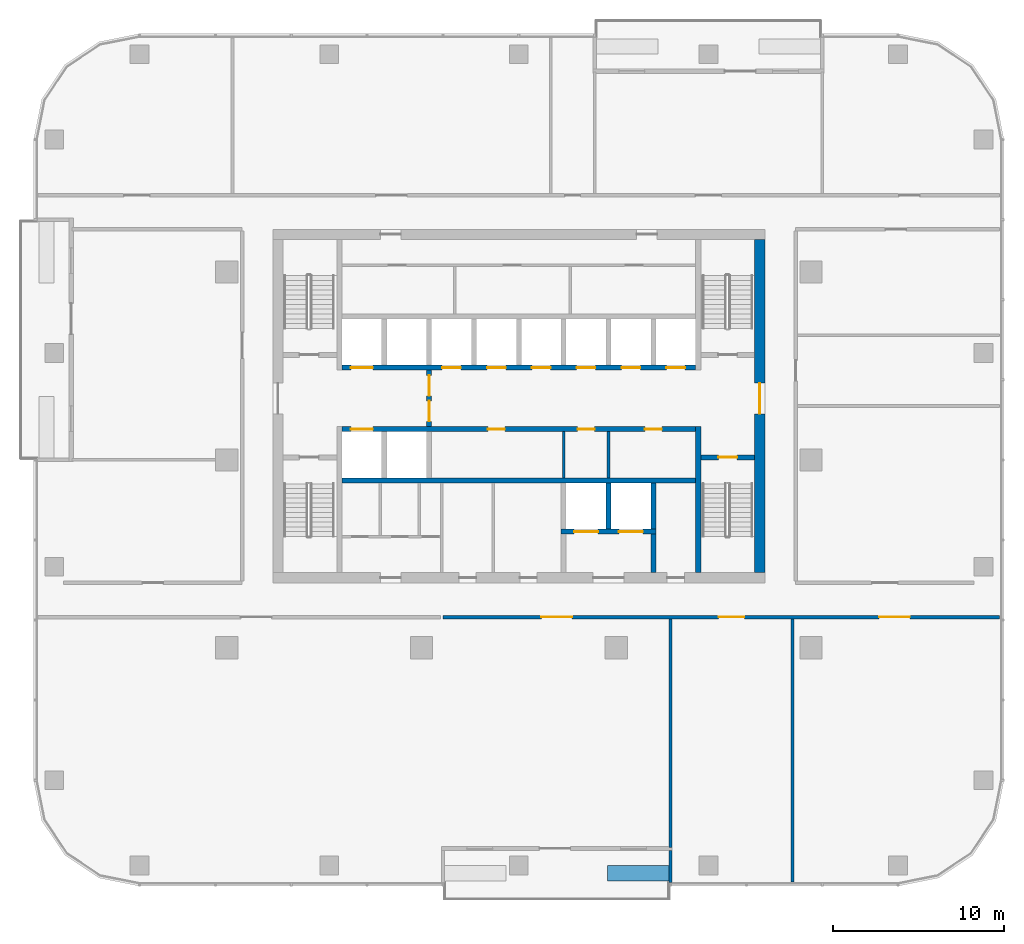
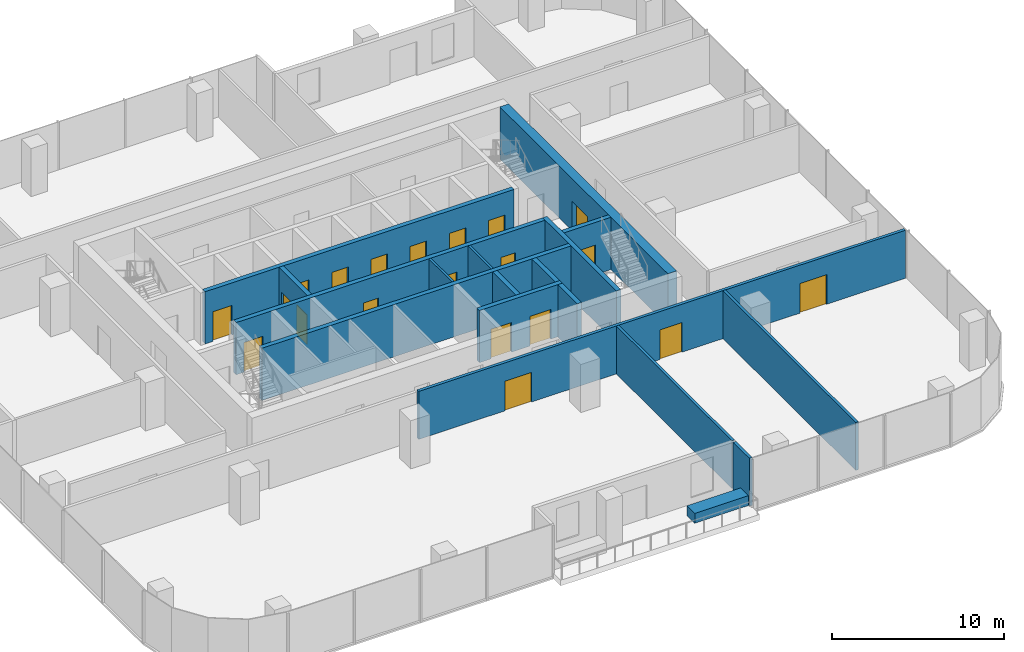
# One storey, part 8 of 14: 20 doors, 18 walls, 20 openings.
"""IFC4 building model written with IfcOpenShell, lengths in metres."""

from ifc_helpers import new_model, si_unit, direction, frame, frame_2d, origin, place, context, subcontext, project, spatial, rectangle, extrude, material, layer, layer_set, type_object, element, fill, save


model = new_model("IFC4")

# Units and contexts
model_context = context("Model", 3, precision=1e-05, world=origin(), true_north=direction((0.0, 1.0)))
body_context = subcontext(model_context, "Body", "Model", "MODEL_VIEW")
ifc_project = project(units=[si_unit("LENGTHUNIT", "METRE"), si_unit("AREAUNIT", "SQUARE_METRE"), si_unit("VOLUMEUNIT", "CUBIC_METRE"), si_unit("PLANEANGLEUNIT", "RADIAN"), si_unit("MASSUNIT", "GRAM", prefix="KILO")], contexts=[model_context])

# Site, building, storey
site_placement = place(None, origin())
site = spatial("IfcSite", under=ifc_project, at=site_placement, CompositionType="ELEMENT")
building_placement = place(site_placement, origin())
building = spatial("IfcBuilding", under=site, at=building_placement, Name="Mopane Tessera Tower", CompositionType="ELEMENT")
storey_placement = place(building_placement, frame((0.0, 0.0, 255.0)))
storey = spatial("IfcBuildingStorey", under=building, at=storey_placement, Name="L55", CompositionType="ELEMENT", Elevation=255.0)

# Walls
ifc_material_1 = material(Name="Fire-rated gypsum board partition")
ifc_layer_1 = layer(ifc_material_1, 0.14990234375)
ifc_layer_set_1 = layer_set([ifc_layer_1], Name="Fire-rated gypsum board partition")
wall_type_1 = type_object("IfcWallType", Name="Core room partition 150 mm", PredefinedType="PARTITIONING", material=ifc_layer_set_1)
for number, where, z_axis, x_axis, name in (
    (1, (2.625, -1.050048828125, 0.0), (0.0, 0.0, 1.0), (0.0, 1.0, 0.0), "L55 Room partition"),
    (2, (5.25, -1.050048828125, 0.0), (0.0, 0.0, 1.0), (0.0, 1.0, 0.0), "L55 Room partition"),
):
    element("IfcWall", number, at=place(storey_placement, frame(where, z_axis=z_axis, x_axis=x_axis)), inside=storey, type_object=wall_type_1, Name=name, PredefinedType="PARTITIONING", context=body_context, shape_type="SweptSolid", body=[
        extrude(rectangle(XDim=2.699951171875, YDim=0.14990234375, at=frame_2d((1.35009765625, 0.0))), origin(), (0.0, 0.0, 1.0), 3.699951171875),
    ])

# Wall, opening, door
ifc_material_2 = material(Name="Concrete C70/85", Category="concrete")
ifc_layer_2 = layer(ifc_material_2, 0.60009765625)
ifc_layer_set_2 = layer_set([ifc_layer_2], Name="Concrete C70/85")
wall_type_2 = type_object("IfcWallType", Name="Core shear wall 600 mm", PredefinedType="SHEAR", material=ifc_layer_set_2)
wall_1_placement = place(storey_placement, frame((14.10009765625, -6.60009765625, 0.0), z_axis=(0.0, 0.0, 1.0), x_axis=(0.0, 1.0, 0.0)))
wall_1 = element("IfcWall", 3, at=wall_1_placement, inside=storey, type_object=wall_type_2, Name="L55 Core wall east", PredefinedType="SHEAR", context=body_context, shape_type="SweptSolid", body=[
    extrude(rectangle(XDim=19.5, YDim=0.60009765625, at=frame_2d((9.75, 0.0))), origin(), (0.0, 0.0, 1.0), 3.699951171875),
])
opening_1_placement = place(wall_1_placement, frame((9.300048828125, 0.0, 0.0)))
opening_1 = element("IfcOpeningElement", 4, at=opening_1_placement, cuts=wall_1, Name="Opening SD2", PredefinedType="OPENING", context=body_context, shape_type="SweptSolid", body=[
    extrude(rectangle(XDim=1.800048828125, YDim=2.10009765625, at=frame_2d((0.89990234375, 1.050048828125))), frame((0.0, 0.31201171875, 0.0), z_axis=(0.0, -1.0, 0.0), x_axis=(1.0, 0.0, 0.0)), (0.0, 0.0, 1.0), 0.6240234375),
])
ifc_material_3 = material(Name="Steel fire door", Category="steel")
door_type_1 = type_object("IfcDoorType", Name="Core entrance double door 1800 x 2100", OperationType="DOUBLE_DOOR_SINGLE_SWING", PredefinedType="DOOR", material=ifc_material_3)
door_1_placement = place(opening_1_placement, origin())
door_1 = element("IfcDoor", 5, at=door_1_placement, inside=storey, type_object=door_type_1, Name="L55 Core entrance door east", OperationType="DOUBLE_DOOR_SINGLE_SWING", OverallHeight=2.10009765625, OverallWidth=1.800048828125, PredefinedType="DOOR", context=body_context, shape_type="SweptSolid", body=[
    extrude(rectangle(XDim=1.800048828125, YDim=2.10009765625, at=frame_2d((0.89990234375, 1.050048828125))), frame((0.0, 0.02490234375, 0.0), z_axis=(0.0, -1.0, 0.0), x_axis=(1.0, 0.0, 0.0)), (0.0, 0.0, 1.0), 0.050048828125),
])
fill(opening_1, door_1)

# Walls
ifc_material_4 = material(Name="Concrete C60/75", Category="concrete")
ifc_layer_3 = layer(ifc_material_4, 0.300048828125)
ifc_layer_set_3 = layer_set([ifc_layer_3], Name="Concrete C60/75")
wall_type_3 = type_object("IfcWallType", Name="Core spine wall 300 mm", PredefinedType="SHEAR", material=ifc_layer_set_3)
wall_2_placement = place(storey_placement, frame((10.5, -6.60009765625, 0.0), z_axis=(0.0, 0.0, 1.0), x_axis=(0.0, 1.0, 0.0)))
element("IfcWall", 6, at=wall_2_placement, inside=storey, type_object=wall_type_3, Name="L55 Core spine wall", PredefinedType="SHEAR", context=body_context, shape_type="SweptSolid", body=[
    extrude(rectangle(XDim=8.550048828125, YDim=0.300048828125, at=frame_2d((4.27490234375, 0.0))), origin(), (0.0, 0.0, 1.0), 3.699951171875),
])
ifc_material_5 = material(Name="Gypsum board on staggered steel studs, double layer each face, acoustic mineral wool infill", Category="steel")
ifc_layer_4 = layer(ifc_material_5, 0.175048828125)
ifc_layer_set_4 = layer_set([ifc_layer_4], Name="Gypsum board on staggered steel studs, double layer each face, acoustic mineral wool infill")
wall_type_4 = type_object("IfcWallType", Name="Gypsum board acoustic partition 175, rated EI 60", PredefinedType="PARTITIONING", material=ifc_layer_set_4)
wall_3_placement = place(storey_placement, frame((8.8798828125, -22.699951171875, 0.0), z_axis=(0.0, 0.0, 1.0), x_axis=(0.0, 1.0, 0.0)))
element("IfcWall", 7, at=wall_3_placement, inside=storey, type_object=wall_type_4, Name="Partition L55:014", PredefinedType="PARTITIONING", context=body_context, shape_type="SweptSolid", body=[
    extrude(rectangle(XDim=13.39990234375, YDim=0.175048828125, at=frame_2d((6.699951171875, 0.0))), origin(), (0.0, 0.0, 1.0), 3.39990234375),
])
wall_4_placement = place(storey_placement, frame((16.02001953125, -24.699951171875, 0.0), z_axis=(0.0, 0.0, 1.0), x_axis=(0.0, 1.0, 0.0)))
element("IfcWall", 8, at=wall_4_placement, inside=storey, type_object=wall_type_4, Name="Partition L55:015", PredefinedType="PARTITIONING", context=body_context, shape_type="SweptSolid", body=[
    extrude(rectangle(XDim=15.39990234375, YDim=0.175048828125, at=frame_2d((7.699951171875, 0.0))), origin(), (0.0, 0.0, 1.0), 3.39990234375),
])

# Wall, openings, doors
ifc_material_6 = material(Name="Gypsum board on steel studs, two layers each face, mineral wool infill", Category="steel")
ifc_layer_5 = layer(ifc_material_6, 0.199951171875)
ifc_layer_set_5 = layer_set([ifc_layer_5], Name="Gypsum board on steel studs, two layers each face, mineral wool infill")
wall_type_5 = type_object("IfcWallType", Name="Gypsum board corridor wall 200, rated EI 60", PredefinedType="PARTITIONING", material=ifc_layer_set_5)
wall_5_placement = place(storey_placement, frame((-4.43994140625, -9.199951171875, 0.0), z_axis=(0.0, 0.0, 1.0), x_axis=(1.0, 0.0, 0.0)))
wall_5 = element("IfcWall", 9, at=wall_5_placement, inside=storey, type_object=wall_type_5, Name="Partition L55:001", PredefinedType="PARTITIONING", context=body_context, shape_type="SweptSolid", body=[
    extrude(rectangle(XDim=32.58984375, YDim=0.199951171875, at=frame_2d((16.294921875, 0.0))), origin(), (0.0, 0.0, 1.0), 3.39990234375),
])
opening_2_placement = place(wall_5_placement, frame((25.52490234375, 0.0, 0.0)))
opening_2 = element("IfcOpeningElement", 10, at=opening_2_placement, cuts=wall_5, Name="Opening L55-02", PredefinedType="OPENING", context=body_context, shape_type="SweptSolid", body=[
    extrude(rectangle(XDim=1.800048828125, YDim=2.10009765625, at=frame_2d((0.89990234375, 1.050048828125))), frame((0.0, 0.112060546875, 0.0), z_axis=(0.0, -1.0, 0.0), x_axis=(1.0, 0.0, 0.0)), (0.0, 0.0, 1.0), 0.223876953125),
])
opening_3_placement = place(wall_5_placement, frame((5.760009765625, 0.0, 0.0)))
opening_3 = element("IfcOpeningElement", 11, at=opening_3_placement, cuts=wall_5, Name="Opening L55-04", PredefinedType="OPENING", context=body_context, shape_type="SweptSolid", body=[
    extrude(rectangle(XDim=1.800048828125, YDim=2.10009765625, at=frame_2d((0.89990234375, 1.050048828125))), frame((0.0, 0.112060546875, 0.0), z_axis=(0.0, -1.0, 0.0), x_axis=(1.0, 0.0, 0.0)), (0.0, 0.0, 1.0), 0.223876953125),
])
opening_4_placement = place(wall_5_placement, frame((16.139892578125, 0.0, 0.0)))
opening_4 = element("IfcOpeningElement", 12, at=opening_4_placement, cuts=wall_5, Name="Opening L55-13", PredefinedType="OPENING", context=body_context, shape_type="SweptSolid", body=[
    extrude(rectangle(XDim=1.5, YDim=2.10009765625, at=frame_2d((0.75, 1.050048828125))), frame((0.0, 0.112060546875, 0.0), z_axis=(0.0, -1.0, 0.0), x_axis=(1.0, 0.0, 0.0)), (0.0, 0.0, 1.0), 0.223876953125),
])
ifc_material_7 = material(Name="Timber veneered steel-framed fire door", Category="steel")
door_type_2 = type_object("IfcDoorType", Name="Fire door pair FD60 1500 x 2100", OperationType="DOUBLE_DOOR_SINGLE_SWING", PredefinedType="DOOR", material=ifc_material_7)
door_2_placement = place(opening_4_placement, origin())
door_2 = element("IfcDoor", 13, at=door_2_placement, inside=storey, type_object=door_type_2, Name="Door L55-13", ObjectType="D17A", OperationType="DOUBLE_DOOR_SINGLE_SWING", OverallHeight=2.10009765625, OverallWidth=1.5, PredefinedType="DOOR", context=body_context, shape_type="SweptSolid", body=[
    extrude(rectangle(XDim=1.5, YDim=2.10009765625, at=frame_2d((0.75, 1.050048828125))), frame((0.0, 0.02490234375, 0.0), z_axis=(0.0, -1.0, 0.0), x_axis=(1.0, 0.0, 0.0)), (0.0, 0.0, 1.0), 0.050048828125),
])
fill(opening_4, door_2)
ifc_material_8 = material(Name="Timber veneered steel-framed fire door", Category="steel")
door_type_3 = type_object("IfcDoorType", Name="Fire door pair FD60 1800 x 2100", OperationType="DOUBLE_DOOR_SINGLE_SWING", PredefinedType="DOOR", material=ifc_material_8)
door_3_placement = place(opening_2_placement, origin())
door_3 = element("IfcDoor", 14, at=door_3_placement, inside=storey, type_object=door_type_3, Name="Door L55-02", ObjectType="D20A", OperationType="DOUBLE_DOOR_SINGLE_SWING", OverallHeight=2.10009765625, OverallWidth=1.800048828125, PredefinedType="DOOR", context=body_context, shape_type="SweptSolid", body=[
    extrude(rectangle(XDim=1.800048828125, YDim=2.10009765625, at=frame_2d((0.89990234375, 1.050048828125))), frame((0.0, 0.02490234375, 0.0), z_axis=(0.0, -1.0, 0.0), x_axis=(1.0, 0.0, 0.0)), (0.0, 0.0, 1.0), 0.050048828125),
])
fill(opening_2, door_3)
door_4_placement = place(opening_3_placement, origin())
door_4 = element("IfcDoor", 15, at=door_4_placement, inside=storey, type_object=door_type_3, Name="Door L55-04", ObjectType="D20A", OperationType="DOUBLE_DOOR_SINGLE_SWING", OverallHeight=2.10009765625, OverallWidth=1.800048828125, PredefinedType="DOOR", context=body_context, shape_type="SweptSolid", body=[
    extrude(rectangle(XDim=1.800048828125, YDim=2.10009765625, at=frame_2d((0.89990234375, 1.050048828125))), frame((0.0, 0.02490234375, 0.0), z_axis=(0.0, -1.0, 0.0), x_axis=(1.0, 0.0, 0.0)), (0.0, 0.0, 1.0), 0.050048828125),
])
fill(opening_3, door_4)

# Wall, opening, door
ifc_material_9 = material(Name="Concrete C50/60", Category="concrete")
ifc_layer_6 = layer(ifc_material_9, 0.300048828125)
ifc_layer_set_6 = layer_set([ifc_layer_6], Name="Concrete C50/60")
wall_type_6 = type_object("IfcWallType", Name="Lift and stair shaft wall 300 mm", PredefinedType="SOLIDWALL", material=ifc_layer_set_6)
wall_6_placement = place(storey_placement, frame((10.64990234375, 0.14990234375, 0.0), z_axis=(0.0, 0.0, 1.0), x_axis=(1.0, 0.0, 0.0)))
wall_6 = element("IfcWall", 16, at=wall_6_placement, inside=storey, type_object=wall_type_6, Name="L55 Stair enclosure wall", PredefinedType="SOLIDWALL", context=body_context, shape_type="SweptSolid", body=[
    extrude(rectangle(XDim=3.150146484375, YDim=0.300048828125, at=frame_2d((1.5751953125, 0.0))), origin(), (0.0, 0.0, 1.0), 3.699951171875),
])
opening_5_placement = place(wall_6_placement, frame((1.02490234375, 0.0, 0.0)))
opening_5 = element("IfcOpeningElement", 17, at=opening_5_placement, cuts=wall_6, Name="Opening SD1", PredefinedType="OPENING", context=body_context, shape_type="SweptSolid", body=[
    extrude(rectangle(XDim=1.10009765625, YDim=2.10009765625, at=frame_2d((0.550048828125, 1.050048828125))), frame((0.0, 0.162109375, 0.0), z_axis=(0.0, -1.0, 0.0), x_axis=(1.0, 0.0, 0.0)), (0.0, 0.0, 1.0), 0.323974609375),
])
ifc_material_10 = material(Name="Steel fire door", Category="steel")
door_type_4 = type_object("IfcDoorType", Name="Stair fire door 1100 x 2100", OperationType="SINGLE_SWING_LEFT", PredefinedType="DOOR", material=ifc_material_10)
door_5_placement = place(opening_5_placement, origin())
door_5 = element("IfcDoor", 18, at=door_5_placement, inside=storey, type_object=door_type_4, Name="L55 Stair door ST3", OperationType="SINGLE_SWING_RIGHT", OverallHeight=2.10009765625, OverallWidth=1.10009765625, PredefinedType="DOOR", context=body_context, shape_type="SweptSolid", body=[
    extrude(rectangle(XDim=1.10009765625, YDim=2.10009765625, at=frame_2d((0.550048828125, 1.050048828125))), frame((0.0, 0.02490234375, 0.0), z_axis=(0.0, -1.0, 0.0), x_axis=(1.0, 0.0, 0.0)), (0.0, 0.0, 1.0), 0.050048828125),
])
fill(opening_5, door_5)

# Wall
wall_7_placement = place(storey_placement, frame((-10.35009765625, -1.199951171875, 0.0), z_axis=(0.0, 0.0, 1.0), x_axis=(1.0, 0.0, 0.0)))
element("IfcWall", 19, at=wall_7_placement, inside=storey, type_object=wall_type_6, Name="L55 Lift shaft rear wall", PredefinedType="SOLIDWALL", context=body_context, shape_type="SweptSolid", body=[
    extrude(rectangle(XDim=20.7001953125, YDim=0.300048828125, at=frame_2d((10.35009765625, 0.0))), origin(), (0.0, 0.0, 1.0), 3.699951171875),
])

# Wall, openings, doors
wall_8_placement = place(storey_placement, frame((-10.35009765625, 1.800048828125, 0.0), z_axis=(0.0, 0.0, 1.0), x_axis=(1.0, 0.0, 0.0)))
wall_8 = element("IfcWall", 20, at=wall_8_placement, inside=storey, type_object=wall_type_6, Name="L55 Lift shaft front wall", PredefinedType="SOLIDWALL", context=body_context, shape_type="SweptSolid", body=[
    extrude(rectangle(XDim=20.7001953125, YDim=0.300048828125, at=frame_2d((10.35009765625, 0.0))), origin(), (0.0, 0.0, 1.0), 3.699951171875),
])
opening_6_placement = place(wall_8_placement, frame((0.512451171875, 0.0, 0.0)))
opening_6 = element("IfcOpeningElement", 21, at=opening_6_placement, cuts=wall_8, Name="Opening LD2", PredefinedType="OPENING", context=body_context, shape_type="SweptSolid", body=[
    extrude(rectangle(XDim=1.300048828125, YDim=2.10009765625, at=frame_2d((0.64990234375, 1.050048828125))), frame((0.0, 0.162109375, 0.0), z_axis=(0.0, -1.0, 0.0), x_axis=(1.0, 0.0, 0.0)), (0.0, 0.0, 1.0), 0.323974609375),
])
opening_7_placement = place(wall_8_placement, frame((8.53759765625, 0.0, 0.0)))
opening_7 = element("IfcOpeningElement", 22, at=opening_7_placement, cuts=wall_8, Name="Opening RD1", PredefinedType="OPENING", context=body_context, shape_type="SweptSolid", body=[
    extrude(rectangle(XDim=1.0, YDim=2.10009765625, at=frame_2d((0.5, 1.050048828125))), frame((0.0, 0.162109375, 0.0), z_axis=(0.0, -1.0, 0.0), x_axis=(1.0, 0.0, 0.0)), (0.0, 0.0, 1.0), 0.323974609375),
])
opening_8_placement = place(wall_8_placement, frame((13.78759765625, 0.0, 0.0)))
opening_8 = element("IfcOpeningElement", 23, at=opening_8_placement, cuts=wall_8, Name="Opening RD1", PredefinedType="OPENING", context=body_context, shape_type="SweptSolid", body=[
    extrude(rectangle(XDim=1.0, YDim=2.10009765625, at=frame_2d((0.5, 1.050048828125))), frame((0.0, 0.162109375, 0.0), z_axis=(0.0, -1.0, 0.0), x_axis=(1.0, 0.0, 0.0)), (0.0, 0.0, 1.0), 0.323974609375),
])
opening_9_placement = place(wall_8_placement, frame((17.72509765625, 0.0, 0.0)))
opening_9 = element("IfcOpeningElement", 24, at=opening_9_placement, cuts=wall_8, Name="Opening RD1", PredefinedType="OPENING", context=body_context, shape_type="SweptSolid", body=[
    extrude(rectangle(XDim=1.0, YDim=2.10009765625, at=frame_2d((0.5, 1.050048828125))), frame((0.0, 0.162109375, 0.0), z_axis=(0.0, -1.0, 0.0), x_axis=(1.0, 0.0, 0.0)), (0.0, 0.0, 1.0), 0.323974609375),
])
ifc_material_11 = material(Name="Timber door", Category="wood")
door_type_5 = type_object("IfcDoorType", Name="Core room door 1000 x 2100", OperationType="SINGLE_SWING_LEFT", PredefinedType="DOOR", material=ifc_material_11)
door_6_placement = place(opening_7_placement, origin())
door_6 = element("IfcDoor", 25, at=door_6_placement, inside=storey, type_object=door_type_5, Name="L55 Room door", OperationType="SINGLE_SWING_LEFT", OverallHeight=2.10009765625, OverallWidth=1.0, PredefinedType="DOOR", context=body_context, shape_type="SweptSolid", body=[
    extrude(rectangle(XDim=1.0, YDim=2.10009765625, at=frame_2d((0.5, 1.050048828125))), frame((0.0, 0.02490234375, 0.0), z_axis=(0.0, -1.0, 0.0), x_axis=(1.0, 0.0, 0.0)), (0.0, 0.0, 1.0), 0.050048828125),
])
fill(opening_7, door_6)
door_7_placement = place(opening_8_placement, origin())
door_7 = element("IfcDoor", 26, at=door_7_placement, inside=storey, type_object=door_type_5, Name="L55 Room door", OperationType="SINGLE_SWING_LEFT", OverallHeight=2.10009765625, OverallWidth=1.0, PredefinedType="DOOR", context=body_context, shape_type="SweptSolid", body=[
    extrude(rectangle(XDim=1.0, YDim=2.10009765625, at=frame_2d((0.5, 1.050048828125))), frame((0.0, 0.02490234375, 0.0), z_axis=(0.0, -1.0, 0.0), x_axis=(1.0, 0.0, 0.0)), (0.0, 0.0, 1.0), 0.050048828125),
])
fill(opening_8, door_7)
door_8_placement = place(opening_9_placement, origin())
door_8 = element("IfcDoor", 27, at=door_8_placement, inside=storey, type_object=door_type_5, Name="L55 Room door", OperationType="SINGLE_SWING_LEFT", OverallHeight=2.10009765625, OverallWidth=1.0, PredefinedType="DOOR", context=body_context, shape_type="SweptSolid", body=[
    extrude(rectangle(XDim=1.0, YDim=2.10009765625, at=frame_2d((0.5, 1.050048828125))), frame((0.0, 0.02490234375, 0.0), z_axis=(0.0, -1.0, 0.0), x_axis=(1.0, 0.0, 0.0)), (0.0, 0.0, 1.0), 0.050048828125),
])
fill(opening_9, door_8)
ifc_material_12 = material(Name="Stainless steel sliding door", Category="steel")
door_type_6 = type_object("IfcDoorType", Name="Fire-fighting lift landing door 1300 x 2100", OperationType="DOUBLE_DOOR_SLIDING", PredefinedType="DOOR", material=ifc_material_12)
door_9_placement = place(opening_6_placement, origin())
door_9 = element("IfcDoor", 28, at=door_9_placement, inside=storey, type_object=door_type_6, Name="L55 Lift landing door FF1", OperationType="DOUBLE_DOOR_SLIDING", OverallHeight=2.10009765625, OverallWidth=1.300048828125, PredefinedType="DOOR", context=body_context, shape_type="SweptSolid", body=[
    extrude(rectangle(XDim=1.300048828125, YDim=2.10009765625, at=frame_2d((0.64990234375, 1.050048828125))), frame((0.0, 0.02490234375, 0.0), z_axis=(0.0, -1.0, 0.0), x_axis=(1.0, 0.0, 0.0)), (0.0, 0.0, 1.0), 0.050048828125),
])
fill(opening_6, door_9)

wall_9_placement = place(storey_placement, frame((-10.35009765625, 5.39990234375, 0.0), z_axis=(0.0, 0.0, 1.0), x_axis=(1.0, 0.0, 0.0)))
wall_9 = element("IfcWall", 29, at=wall_9_placement, inside=storey, type_object=wall_type_6, Name="L55 Lift shaft front wall", PredefinedType="SOLIDWALL", context=body_context, shape_type="SweptSolid", body=[
    extrude(rectangle(XDim=20.7001953125, YDim=0.300048828125, at=frame_2d((10.35009765625, 0.0))), origin(), (0.0, 0.0, 1.0), 3.699951171875),
])
opening_10_placement = place(wall_9_placement, frame((0.512451171875, 0.0, 0.0)))
opening_10 = element("IfcOpeningElement", 30, at=opening_10_placement, cuts=wall_9, Name="Opening LD2", PredefinedType="OPENING", context=body_context, shape_type="SweptSolid", body=[
    extrude(rectangle(XDim=1.300048828125, YDim=2.10009765625, at=frame_2d((0.64990234375, 1.050048828125))), frame((0.0, 0.162109375, 0.0), z_axis=(0.0, -1.0, 0.0), x_axis=(1.0, 0.0, 0.0)), (0.0, 0.0, 1.0), 0.323974609375),
])
opening_11_placement = place(wall_9_placement, frame((5.862548828125, 0.0, 0.0)))
opening_11 = element("IfcOpeningElement", 31, at=opening_11_placement, cuts=wall_9, Name="Opening LD", PredefinedType="OPENING", context=body_context, shape_type="SweptSolid", body=[
    extrude(rectangle(XDim=1.10009765625, YDim=2.10009765625, at=frame_2d((0.550048828125, 1.050048828125))), frame((0.0, 0.162109375, 0.0), z_axis=(0.0, -1.0, 0.0), x_axis=(1.0, 0.0, 0.0)), (0.0, 0.0, 1.0), 0.323974609375),
])
opening_12_placement = place(wall_9_placement, frame((8.487548828125, 0.0, 0.0)))
opening_12 = element("IfcOpeningElement", 32, at=opening_12_placement, cuts=wall_9, Name="Opening LD", PredefinedType="OPENING", context=body_context, shape_type="SweptSolid", body=[
    extrude(rectangle(XDim=1.10009765625, YDim=2.10009765625, at=frame_2d((0.550048828125, 1.050048828125))), frame((0.0, 0.162109375, 0.0), z_axis=(0.0, -1.0, 0.0), x_axis=(1.0, 0.0, 0.0)), (0.0, 0.0, 1.0), 0.323974609375),
])
opening_13_placement = place(wall_9_placement, frame((11.112548828125, 0.0, 0.0)))
opening_13 = element("IfcOpeningElement", 33, at=opening_13_placement, cuts=wall_9, Name="Opening LD", PredefinedType="OPENING", context=body_context, shape_type="SweptSolid", body=[
    extrude(rectangle(XDim=1.10009765625, YDim=2.10009765625, at=frame_2d((0.550048828125, 1.050048828125))), frame((0.0, 0.162109375, 0.0), z_axis=(0.0, -1.0, 0.0), x_axis=(1.0, 0.0, 0.0)), (0.0, 0.0, 1.0), 0.323974609375),
])
opening_14_placement = place(wall_9_placement, frame((13.737548828125, 0.0, 0.0)))
opening_14 = element("IfcOpeningElement", 34, at=opening_14_placement, cuts=wall_9, Name="Opening LD", PredefinedType="OPENING", context=body_context, shape_type="SweptSolid", body=[
    extrude(rectangle(XDim=1.10009765625, YDim=2.10009765625, at=frame_2d((0.550048828125, 1.050048828125))), frame((0.0, 0.162109375, 0.0), z_axis=(0.0, -1.0, 0.0), x_axis=(1.0, 0.0, 0.0)), (0.0, 0.0, 1.0), 0.323974609375),
])
opening_15_placement = place(wall_9_placement, frame((16.362548828125, 0.0, 0.0)))
opening_15 = element("IfcOpeningElement", 35, at=opening_15_placement, cuts=wall_9, Name="Opening LD", PredefinedType="OPENING", context=body_context, shape_type="SweptSolid", body=[
    extrude(rectangle(XDim=1.10009765625, YDim=2.10009765625, at=frame_2d((0.550048828125, 1.050048828125))), frame((0.0, 0.162109375, 0.0), z_axis=(0.0, -1.0, 0.0), x_axis=(1.0, 0.0, 0.0)), (0.0, 0.0, 1.0), 0.323974609375),
])
opening_16_placement = place(wall_9_placement, frame((18.987548828125, 0.0, 0.0)))
opening_16 = element("IfcOpeningElement", 36, at=opening_16_placement, cuts=wall_9, Name="Opening LD", PredefinedType="OPENING", context=body_context, shape_type="SweptSolid", body=[
    extrude(rectangle(XDim=1.10009765625, YDim=2.10009765625, at=frame_2d((0.550048828125, 1.050048828125))), frame((0.0, 0.162109375, 0.0), z_axis=(0.0, -1.0, 0.0), x_axis=(1.0, 0.0, 0.0)), (0.0, 0.0, 1.0), 0.323974609375),
])
door_10_placement = place(opening_10_placement, origin())
door_10 = element("IfcDoor", 37, at=door_10_placement, inside=storey, type_object=door_type_6, Name="L55 Lift landing door FF2", OperationType="DOUBLE_DOOR_SLIDING", OverallHeight=2.10009765625, OverallWidth=1.300048828125, PredefinedType="DOOR", context=body_context, shape_type="SweptSolid", body=[
    extrude(rectangle(XDim=1.300048828125, YDim=2.10009765625, at=frame_2d((0.64990234375, 1.050048828125))), frame((0.0, 0.02490234375, 0.0), z_axis=(0.0, -1.0, 0.0), x_axis=(1.0, 0.0, 0.0)), (0.0, 0.0, 1.0), 0.050048828125),
])
fill(opening_10, door_10)
ifc_material_13 = material(Name="Stainless steel sliding door", Category="steel")
door_type_7 = type_object("IfcDoorType", Name="Lift landing door 1100 x 2100", OperationType="DOUBLE_DOOR_SLIDING", PredefinedType="DOOR", material=ifc_material_13)
door_11_placement = place(opening_11_placement, origin())
door_11 = element("IfcDoor", 38, at=door_11_placement, inside=storey, type_object=door_type_7, Name="L55 Lift landing door HR1", OperationType="DOUBLE_DOOR_SLIDING", OverallHeight=2.10009765625, OverallWidth=1.10009765625, PredefinedType="DOOR", context=body_context, shape_type="SweptSolid", body=[
    extrude(rectangle(XDim=1.10009765625, YDim=2.10009765625, at=frame_2d((0.550048828125, 1.050048828125))), frame((0.0, 0.02490234375, 0.0), z_axis=(0.0, -1.0, 0.0), x_axis=(1.0, 0.0, 0.0)), (0.0, 0.0, 1.0), 0.050048828125),
])
fill(opening_11, door_11)
door_12_placement = place(opening_12_placement, origin())
door_12 = element("IfcDoor", 39, at=door_12_placement, inside=storey, type_object=door_type_7, Name="L55 Lift landing door HR2", OperationType="DOUBLE_DOOR_SLIDING", OverallHeight=2.10009765625, OverallWidth=1.10009765625, PredefinedType="DOOR", context=body_context, shape_type="SweptSolid", body=[
    extrude(rectangle(XDim=1.10009765625, YDim=2.10009765625, at=frame_2d((0.550048828125, 1.050048828125))), frame((0.0, 0.02490234375, 0.0), z_axis=(0.0, -1.0, 0.0), x_axis=(1.0, 0.0, 0.0)), (0.0, 0.0, 1.0), 0.050048828125),
])
fill(opening_12, door_12)
door_13_placement = place(opening_13_placement, origin())
door_13 = element("IfcDoor", 40, at=door_13_placement, inside=storey, type_object=door_type_7, Name="L55 Lift landing door HR3", OperationType="DOUBLE_DOOR_SLIDING", OverallHeight=2.10009765625, OverallWidth=1.10009765625, PredefinedType="DOOR", context=body_context, shape_type="SweptSolid", body=[
    extrude(rectangle(XDim=1.10009765625, YDim=2.10009765625, at=frame_2d((0.550048828125, 1.050048828125))), frame((0.0, 0.02490234375, 0.0), z_axis=(0.0, -1.0, 0.0), x_axis=(1.0, 0.0, 0.0)), (0.0, 0.0, 1.0), 0.050048828125),
])
fill(opening_13, door_13)
door_14_placement = place(opening_14_placement, origin())
door_14 = element("IfcDoor", 41, at=door_14_placement, inside=storey, type_object=door_type_7, Name="L55 Lift landing door HR4", OperationType="DOUBLE_DOOR_SLIDING", OverallHeight=2.10009765625, OverallWidth=1.10009765625, PredefinedType="DOOR", context=body_context, shape_type="SweptSolid", body=[
    extrude(rectangle(XDim=1.10009765625, YDim=2.10009765625, at=frame_2d((0.550048828125, 1.050048828125))), frame((0.0, 0.02490234375, 0.0), z_axis=(0.0, -1.0, 0.0), x_axis=(1.0, 0.0, 0.0)), (0.0, 0.0, 1.0), 0.050048828125),
])
fill(opening_14, door_14)
door_15_placement = place(opening_15_placement, origin())
door_15 = element("IfcDoor", 42, at=door_15_placement, inside=storey, type_object=door_type_7, Name="L55 Lift landing door HR5", OperationType="DOUBLE_DOOR_SLIDING", OverallHeight=2.10009765625, OverallWidth=1.10009765625, PredefinedType="DOOR", context=body_context, shape_type="SweptSolid", body=[
    extrude(rectangle(XDim=1.10009765625, YDim=2.10009765625, at=frame_2d((0.550048828125, 1.050048828125))), frame((0.0, 0.02490234375, 0.0), z_axis=(0.0, -1.0, 0.0), x_axis=(1.0, 0.0, 0.0)), (0.0, 0.0, 1.0), 0.050048828125),
])
fill(opening_15, door_15)
door_16_placement = place(opening_16_placement, origin())
door_16 = element("IfcDoor", 43, at=door_16_placement, inside=storey, type_object=door_type_7, Name="L55 Lift landing door HR6", OperationType="DOUBLE_DOOR_SLIDING", OverallHeight=2.10009765625, OverallWidth=1.10009765625, PredefinedType="DOOR", context=body_context, shape_type="SweptSolid", body=[
    extrude(rectangle(XDim=1.10009765625, YDim=2.10009765625, at=frame_2d((0.550048828125, 1.050048828125))), frame((0.0, 0.02490234375, 0.0), z_axis=(0.0, -1.0, 0.0), x_axis=(1.0, 0.0, 0.0)), (0.0, 0.0, 1.0), 0.050048828125),
])
fill(opening_16, door_16)

wall_10_placement = place(storey_placement, frame((2.47509765625, -4.199951171875, 0.0), z_axis=(0.0, 0.0, 1.0), x_axis=(1.0, 0.0, 0.0)))
wall_10 = element("IfcWall", 44, at=wall_10_placement, inside=storey, type_object=wall_type_6, Name="L55 Lift shaft front wall", PredefinedType="SOLIDWALL", context=body_context, shape_type="SweptSolid", body=[
    extrude(rectangle(XDim=5.5498046875, YDim=0.300048828125, at=frame_2d((2.77490234375, 0.0))), origin(), (0.0, 0.0, 1.0), 3.699951171875),
])
opening_17_placement = place(wall_10_placement, frame((0.762451171875, 0.0, 0.0)))
opening_17 = element("IfcOpeningElement", 45, at=opening_17_placement, cuts=wall_10, Name="Opening LD3", PredefinedType="OPENING", context=body_context, shape_type="SweptSolid", body=[
    extrude(rectangle(XDim=1.39990234375, YDim=2.10009765625, at=frame_2d((0.699951171875, 1.050048828125))), frame((0.0, 0.162109375, 0.0), z_axis=(0.0, -1.0, 0.0), x_axis=(1.0, 0.0, 0.0)), (0.0, 0.0, 1.0), 0.323974609375),
])
opening_18_placement = place(wall_10_placement, frame((3.387451171875, 0.0, 0.0)))
opening_18 = element("IfcOpeningElement", 46, at=opening_18_placement, cuts=wall_10, Name="Opening LD3", PredefinedType="OPENING", context=body_context, shape_type="SweptSolid", body=[
    extrude(rectangle(XDim=1.39990234375, YDim=2.10009765625, at=frame_2d((0.699951171875, 1.050048828125))), frame((0.0, 0.162109375, 0.0), z_axis=(0.0, -1.0, 0.0), x_axis=(1.0, 0.0, 0.0)), (0.0, 0.0, 1.0), 0.323974609375),
])
ifc_material_14 = material(Name="Stainless steel sliding door", Category="steel")
door_type_8 = type_object("IfcDoorType", Name="Service lift landing door 1400 x 2100", OperationType="DOUBLE_DOOR_SLIDING", PredefinedType="DOOR", material=ifc_material_14)
door_17_placement = place(opening_17_placement, origin())
door_17 = element("IfcDoor", 47, at=door_17_placement, inside=storey, type_object=door_type_8, Name="L55 Lift landing door SV1", OperationType="DOUBLE_DOOR_SLIDING", OverallHeight=2.10009765625, OverallWidth=1.39990234375, PredefinedType="DOOR", context=body_context, shape_type="SweptSolid", body=[
    extrude(rectangle(XDim=1.39990234375, YDim=2.10009765625, at=frame_2d((0.699951171875, 1.050048828125))), frame((0.0, 0.02490234375, 0.0), z_axis=(0.0, -1.0, 0.0), x_axis=(1.0, 0.0, 0.0)), (0.0, 0.0, 1.0), 0.050048828125),
])
fill(opening_17, door_17)
door_18_placement = place(opening_18_placement, origin())
door_18 = element("IfcDoor", 48, at=door_18_placement, inside=storey, type_object=door_type_8, Name="L55 Lift landing door SV2", OperationType="DOUBLE_DOOR_SLIDING", OverallHeight=2.10009765625, OverallWidth=1.39990234375, PredefinedType="DOOR", context=body_context, shape_type="SweptSolid", body=[
    extrude(rectangle(XDim=1.39990234375, YDim=2.10009765625, at=frame_2d((0.699951171875, 1.050048828125))), frame((0.0, 0.02490234375, 0.0), z_axis=(0.0, -1.0, 0.0), x_axis=(1.0, 0.0, 0.0)), (0.0, 0.0, 1.0), 0.050048828125),
])
fill(opening_18, door_18)

# Walls
for number, where, z_axis, x_axis, name in (
    (49, (5.25, -4.050048828125, 0.0), (0.0, 0.0, 1.0), (0.0, 1.0, 0.0), "L55 Lift shaft wall"),
    (50, (7.875, -4.050048828125, 0.0), (0.0, 0.0, 1.0), (0.0, 1.0, 0.0), "L55 Lift shaft wall"),
):
    element("IfcWall", number, at=place(storey_placement, frame(where, z_axis=z_axis, x_axis=x_axis)), inside=storey, type_object=wall_type_6, Name=name, PredefinedType="SOLIDWALL", context=body_context, shape_type="SweptSolid", body=[
        extrude(rectangle(XDim=2.699951171875, YDim=0.300048828125, at=frame_2d((1.35009765625, 0.0))), origin(), (0.0, 0.0, 1.0), 3.699951171875),
    ])

# Wall, openings, doors
ifc_material_15 = material(Name="Concrete C50/60", Category="concrete")
ifc_layer_7 = layer(ifc_material_15, 0.300048828125)
ifc_layer_set_7 = layer_set([ifc_layer_7], Name="Concrete C50/60")
wall_type_7 = type_object("IfcWallType", Name="Lobby and refuge room wall 300 mm", PredefinedType="SOLIDWALL", material=ifc_layer_set_7)
wall_11_placement = place(storey_placement, frame((-5.25, 1.949951171875, 0.0), z_axis=(0.0, 0.0, 1.0), x_axis=(0.0, 1.0, 0.0)))
wall_11 = element("IfcWall", 51, at=wall_11_placement, inside=storey, type_object=wall_type_7, Name="L55 Fire-fighting lobby wall", PredefinedType="SOLIDWALL", context=body_context, shape_type="SweptSolid", body=[
    extrude(rectangle(XDim=3.300048828125, YDim=0.300048828125, at=frame_2d((1.64990234375, 0.0))), origin(), (0.0, 0.0, 1.0), 3.699951171875),
])
opening_19_placement = place(wall_11_placement, frame((0.300048828125, 0.0, 0.0)))
opening_19 = element("IfcOpeningElement", 52, at=opening_19_placement, cuts=wall_11, Name="Opening SD3", PredefinedType="OPENING", context=body_context, shape_type="SweptSolid", body=[
    extrude(rectangle(XDim=1.199951171875, YDim=2.10009765625, at=frame_2d((0.60009765625, 1.050048828125))), frame((0.0, 0.162109375, 0.0), z_axis=(0.0, -1.0, 0.0), x_axis=(1.0, 0.0, 0.0)), (0.0, 0.0, 1.0), 0.323974609375),
])
opening_20_placement = place(wall_11_placement, frame((1.800048828125, 0.0, 0.0)))
opening_20 = element("IfcOpeningElement", 53, at=opening_20_placement, cuts=wall_11, Name="Opening SD3", PredefinedType="OPENING", context=body_context, shape_type="SweptSolid", body=[
    extrude(rectangle(XDim=1.199951171875, YDim=2.10009765625, at=frame_2d((0.60009765625, 1.050048828125))), frame((0.0, 0.162109375, 0.0), z_axis=(0.0, -1.0, 0.0), x_axis=(1.0, 0.0, 0.0)), (0.0, 0.0, 1.0), 0.323974609375),
])
ifc_material_16 = material(Name="Steel fire door", Category="steel")
door_type_9 = type_object("IfcDoorType", Name="Lobby fire door 1200 x 2100", OperationType="SINGLE_SWING_LEFT", PredefinedType="DOOR", material=ifc_material_16)
door_19_placement = place(opening_19_placement, origin())
door_19 = element("IfcDoor", 54, at=door_19_placement, inside=storey, type_object=door_type_9, Name="L55 Fire-fighting lobby door", OperationType="SINGLE_SWING_LEFT", OverallHeight=2.10009765625, OverallWidth=1.199951171875, PredefinedType="DOOR", context=body_context, shape_type="SweptSolid", body=[
    extrude(rectangle(XDim=1.199951171875, YDim=2.10009765625, at=frame_2d((0.60009765625, 1.050048828125))), frame((0.0, 0.02490234375, 0.0), z_axis=(0.0, -1.0, 0.0), x_axis=(1.0, 0.0, 0.0)), (0.0, 0.0, 1.0), 0.050048828125),
])
fill(opening_19, door_19)
door_20_placement = place(opening_20_placement, origin())
door_20 = element("IfcDoor", 55, at=door_20_placement, inside=storey, type_object=door_type_9, Name="L55 Fire-fighting lobby door", OperationType="SINGLE_SWING_RIGHT", OverallHeight=2.10009765625, OverallWidth=1.199951171875, PredefinedType="DOOR", context=body_context, shape_type="SweptSolid", body=[
    extrude(rectangle(XDim=1.199951171875, YDim=2.10009765625, at=frame_2d((0.60009765625, 1.050048828125))), frame((0.0, 0.02490234375, 0.0), z_axis=(0.0, -1.0, 0.0), x_axis=(1.0, 0.0, 0.0)), (0.0, 0.0, 1.0), 0.050048828125),
])
fill(opening_20, door_20)

# Walls
wall_12_placement = place(storey_placement, frame((7.875, -6.60009765625, 0.0), z_axis=(0.0, 0.0, 1.0), x_axis=(0.0, 1.0, 0.0)))
element("IfcWall", 56, at=wall_12_placement, inside=storey, type_object=wall_type_7, Name="L55 Service lobby wall", PredefinedType="SOLIDWALL", context=body_context, shape_type="SweptSolid", body=[
    extrude(rectangle(XDim=2.25, YDim=0.300048828125, at=frame_2d((1.125, 0.0))), origin(), (0.0, 0.0, 1.0), 3.699951171875),
])
ifc_material_17 = material(Name="Reinforced concrete C32/40 with waterproofing", Category="concrete")
ifc_layer_8 = layer(ifc_material_17, 0.89990234375)
ifc_layer_set_8 = layer_set([ifc_layer_8], Name="Reinforced concrete C32/40 with waterproofing")
wall_type_8 = type_object("IfcWallType", Name="Planter trough 3600 x 900", PredefinedType="STANDARD", material=ifc_layer_set_8)
wall_13_placement = place(storey_placement, frame((5.179931640625, -24.199951171875, 0.0), z_axis=(0.0, 0.0, 1.0), x_axis=(1.0, 0.0, 0.0)))
element("IfcWall", 57, at=wall_13_placement, inside=storey, type_object=wall_type_8, Name="e:nw:L55:N1:pl1", PredefinedType="STANDARD", context=body_context, shape_type="SweptSolid", body=[
    extrude(rectangle(XDim=3.60009765625, YDim=0.89990234375, at=frame_2d((1.800048828125, 0.0))), origin(), (0.0, 0.0, 1.0), 0.699951171875),
])
ifc_material_18 = material(Name="Blockwork with glazed tile facing", Category="masonry")
ifc_layer_9 = layer(ifc_material_18, 0.199951171875)
ifc_layer_set_9 = layer_set([ifc_layer_9], Name="Blockwork with glazed tile facing")
wall_type_9 = type_object("IfcWallType", Name="Terrace cheek wall 200", PredefinedType="STANDARD", material=ifc_layer_set_9)
wall_14_placement = place(storey_placement, frame((8.8798828125, -24.75, 0.0), z_axis=(0.0, 0.0, 1.0), x_axis=(0.0, 1.0, 0.0)))
element("IfcWall", 58, at=wall_14_placement, inside=storey, type_object=wall_type_9, Name="e:nw:L55:N1:cheekb", PredefinedType="STANDARD", context=body_context, shape_type="SweptSolid", body=[
    extrude(rectangle(XDim=1.875, YDim=0.199951171875, at=frame_2d((0.9375, 0.0))), origin(), (0.0, 0.0, 1.0), 3.39990234375),
])

save(model, "model.ifc")
